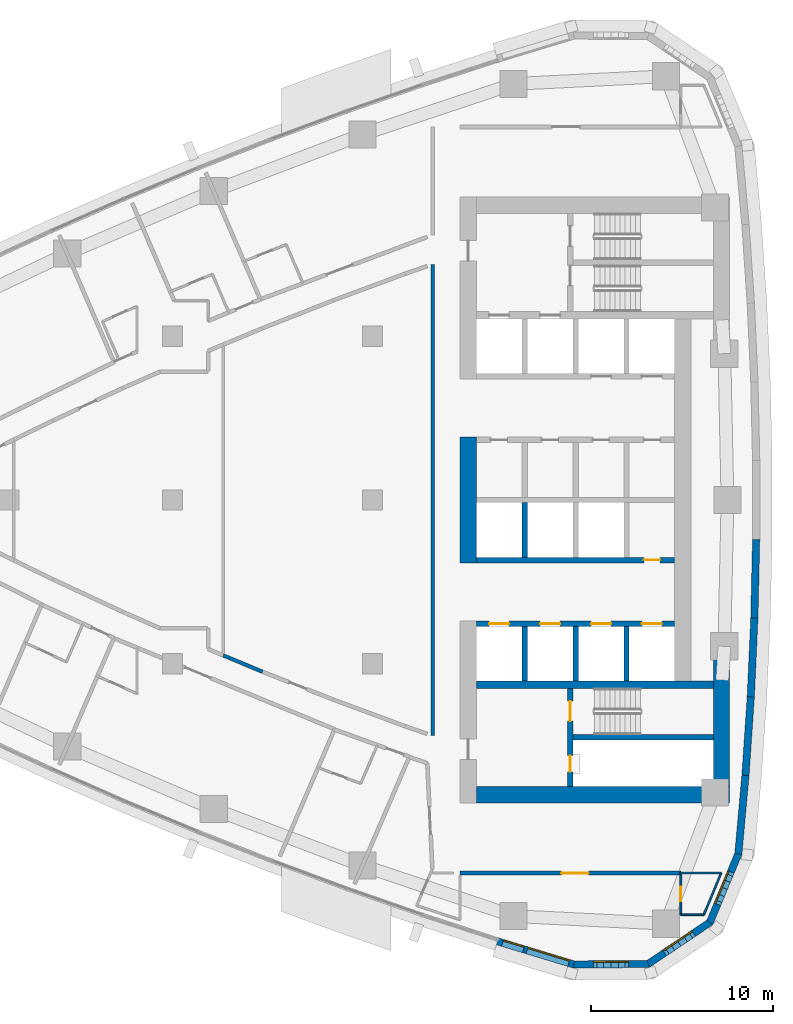
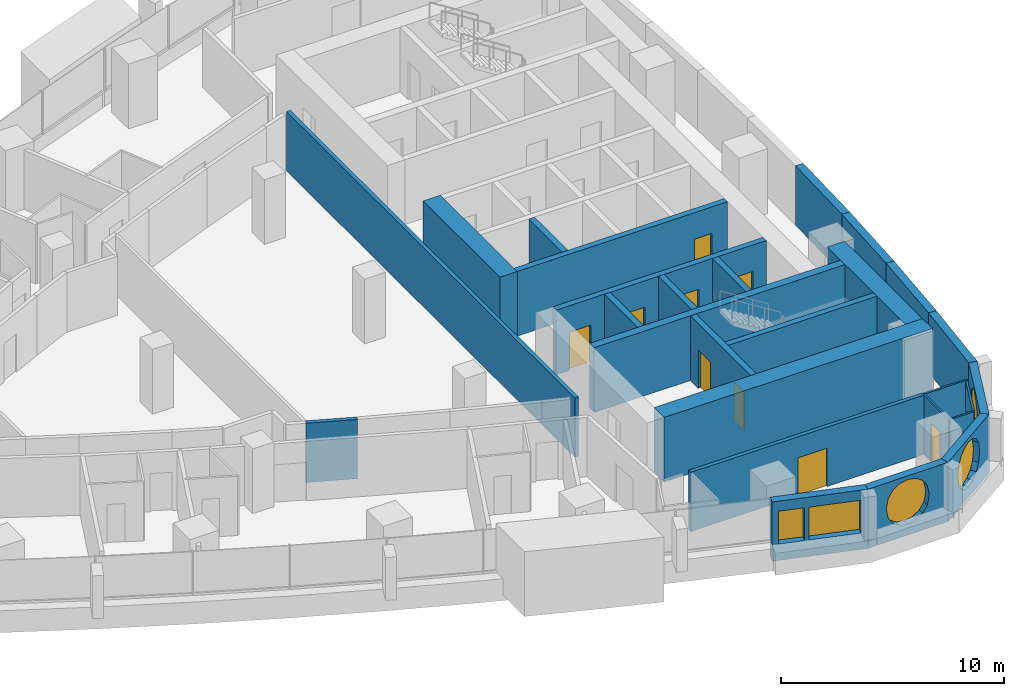
# One storey, part 10 of 17: 27 walls, 9 doors, 5 windows, 14 openings.
"""IFC4 building model written with IfcOpenShell, lengths in metres."""

from ifc_helpers import new_model, si_unit, direction, frame, frame_2d, origin, place, context, subcontext, project, spatial, polyline, rectangle, outline, extrude, material, layer, layer_set, type_object, element, fill, save


model = new_model("IFC4")

# Units and contexts
model_context = context("Model", 3, precision=1e-05, world=origin(), true_north=direction((0.0, 1.0)))
body_context = subcontext(model_context, "Body", "Model", "MODEL_VIEW")
ifc_project = project(units=[si_unit("LENGTHUNIT", "METRE"), si_unit("AREAUNIT", "SQUARE_METRE"), si_unit("VOLUMEUNIT", "CUBIC_METRE"), si_unit("PLANEANGLEUNIT", "RADIAN"), si_unit("MASSUNIT", "GRAM", prefix="KILO")], contexts=[model_context])

# Site, building, storey
site_placement = place(None, origin())
site = spatial("IfcSite", under=ifc_project, at=site_placement, CompositionType="ELEMENT")
building_placement = place(site_placement, origin())
building = spatial("IfcBuilding", under=site, at=building_placement, Name="Ostrand Prow Hotel Tower", CompositionType="ELEMENT")
storey_placement = place(building_placement, frame((0.0, 0.0, 130.199951171875)))
storey = spatial("IfcBuildingStorey", under=building, at=storey_placement, Name="L31", CompositionType="ELEMENT", Elevation=130.199951171875)

# Wall, opening, door
ifc_material_1 = material(Name="Concrete C70/85", Category="concrete")
ifc_layer_1 = layer(ifc_material_1, 0.300048828125)
ifc_layer_set_1 = layer_set([ifc_layer_1], Name="Concrete C70/85")
wall_type_1 = type_object("IfcWallType", Name="Core wall 300 C70/85", PredefinedType="SHEAR", material=ifc_layer_set_1)
wall_1_placement = place(storey_placement, frame((50.699951171875, -3.300048828125, 0.0), z_axis=(0.0, 0.0, 1.0), x_axis=(1.0, 0.0, 0.0)))
wall_1 = element("IfcWall", 1, at=wall_1_placement, inside=storey, type_object=wall_type_1, Name="Core wall PW-L1-S", PredefinedType="SHEAR", context=body_context, shape_type="SweptSolid", body=[
    extrude(rectangle(XDim=10.900146484375, YDim=0.300048828125, at=frame_2d((5.4501953125, 0.0))), origin(), (0.0, 0.0, 1.0), 3.550048828125),
])
opening_1_placement = place(wall_1_placement, frame((9.199951171875, 0.0, 0.0)))
opening_1 = element("IfcOpeningElement", 2, at=opening_1_placement, cuts=wall_1, Name="Opening FD2", PredefinedType="OPENING", context=body_context, shape_type="SweptSolid", body=[
    extrude(rectangle(XDim=0.89990234375, YDim=2.10009765625, at=frame_2d((0.449951171875, 1.050048828125))), frame((0.0, 0.159912109375, 0.0), z_axis=(0.0, -1.0, 0.0), x_axis=(1.0, 0.0, 0.0)), (0.0, 0.0, 1.0), 0.320068359375),
])
ifc_material_2 = material(Name="Steel fire door", Category="steel")
door_type_1 = type_object("IfcDoorType", Name="Fire door 900 EI120", OperationType="SINGLE_SWING_LEFT", PredefinedType="DOOR", material=ifc_material_2)
door_1_placement = place(opening_1_placement, origin())
door_1 = element("IfcDoor", 3, at=door_1_placement, inside=storey, type_object=door_type_1, Name="DOOR", OperationType="SINGLE_SWING_LEFT", OverallHeight=2.10009765625, OverallWidth=0.89990234375, PredefinedType="DOOR", context=body_context, shape_type="SweptSolid", body=[
    extrude(rectangle(XDim=0.89990234375, YDim=2.10009765625, at=frame_2d((0.449951171875, 1.050048828125))), frame((0.0, 0.02490234375, 0.0), z_axis=(0.0, -1.0, 0.0), x_axis=(1.0, 0.0, 0.0)), (0.0, 0.0, 1.0), 0.050048828125),
])
fill(opening_1, door_1)

# Wall, openings, doors
wall_2_placement = place(storey_placement, frame((50.699951171875, -6.800048828125, 0.0), z_axis=(0.0, 0.0, 1.0), x_axis=(1.0, 0.0, 0.0)))
wall_2 = element("IfcWall", 4, at=wall_2_placement, inside=storey, type_object=wall_type_1, Name="Core wall PW-L2-S", PredefinedType="SHEAR", context=body_context, shape_type="SweptSolid", body=[
    extrude(rectangle(XDim=10.900146484375, YDim=0.300048828125, at=frame_2d((5.4501953125, 0.0))), origin(), (0.0, 0.0, 1.0), 3.550048828125),
])
opening_2_placement = place(wall_2_placement, frame((0.699951171875, 0.0, 0.0)))
opening_2 = element("IfcOpeningElement", 5, at=opening_2_placement, cuts=wall_2, Name="Opening LD", PredefinedType="OPENING", context=body_context, shape_type="SweptSolid", body=[
    extrude(rectangle(XDim=1.10009765625, YDim=2.10009765625, at=frame_2d((0.550048828125, 1.050048828125))), frame((0.0, 0.159912109375, 0.0), z_axis=(0.0, -1.0, 0.0), x_axis=(1.0, 0.0, 0.0)), (0.0, 0.0, 1.0), 0.320068359375),
])
opening_3_placement = place(wall_2_placement, frame((3.5, 0.0, 0.0)))
opening_3 = element("IfcOpeningElement", 6, at=opening_3_placement, cuts=wall_2, Name="Opening LD", PredefinedType="OPENING", context=body_context, shape_type="SweptSolid", body=[
    extrude(rectangle(XDim=1.10009765625, YDim=2.10009765625, at=frame_2d((0.550048828125, 1.050048828125))), frame((0.0, 0.159912109375, 0.0), z_axis=(0.0, -1.0, 0.0), x_axis=(1.0, 0.0, 0.0)), (0.0, 0.0, 1.0), 0.320068359375),
])
opening_4_placement = place(wall_2_placement, frame((6.300048828125, 0.0, 0.0)))
opening_4 = element("IfcOpeningElement", 7, at=opening_4_placement, cuts=wall_2, Name="Opening LD", PredefinedType="OPENING", context=body_context, shape_type="SweptSolid", body=[
    extrude(rectangle(XDim=1.10009765625, YDim=2.10009765625, at=frame_2d((0.550048828125, 1.050048828125))), frame((0.0, 0.159912109375, 0.0), z_axis=(0.0, -1.0, 0.0), x_axis=(1.0, 0.0, 0.0)), (0.0, 0.0, 1.0), 0.320068359375),
])
opening_5_placement = place(wall_2_placement, frame((9.10009765625, 0.0, 0.0)))
opening_5 = element("IfcOpeningElement", 8, at=opening_5_placement, cuts=wall_2, Name="Opening LD", PredefinedType="OPENING", context=body_context, shape_type="SweptSolid", body=[
    extrude(rectangle(XDim=1.10009765625, YDim=2.10009765625, at=frame_2d((0.550048828125, 1.050048828125))), frame((0.0, 0.159912109375, 0.0), z_axis=(0.0, -1.0, 0.0), x_axis=(1.0, 0.0, 0.0)), (0.0, 0.0, 1.0), 0.320068359375),
])
ifc_material_3 = material(Name="Stainless steel door", Category="steel")
door_type_2 = type_object("IfcDoorType", Name="Lift landing door 1100", OperationType="DOUBLE_DOOR_SLIDING", PredefinedType="DOOR", material=ifc_material_3)
door_2_placement = place(opening_2_placement, origin())
door_2 = element("IfcDoor", 9, at=door_2_placement, inside=storey, type_object=door_type_2, Name="LIFT LANDING DOOR", OperationType="DOUBLE_DOOR_SLIDING", OverallHeight=2.10009765625, OverallWidth=1.10009765625, PredefinedType="DOOR", context=body_context, shape_type="SweptSolid", body=[
    extrude(rectangle(XDim=1.10009765625, YDim=2.10009765625, at=frame_2d((0.550048828125, 1.050048828125))), frame((0.0, 0.02490234375, 0.0), z_axis=(0.0, -1.0, 0.0), x_axis=(1.0, 0.0, 0.0)), (0.0, 0.0, 1.0), 0.050048828125),
])
fill(opening_2, door_2)
door_3_placement = place(opening_3_placement, origin())
door_3 = element("IfcDoor", 10, at=door_3_placement, inside=storey, type_object=door_type_2, Name="LIFT LANDING DOOR", OperationType="DOUBLE_DOOR_SLIDING", OverallHeight=2.10009765625, OverallWidth=1.10009765625, PredefinedType="DOOR", context=body_context, shape_type="SweptSolid", body=[
    extrude(rectangle(XDim=1.10009765625, YDim=2.10009765625, at=frame_2d((0.550048828125, 1.050048828125))), frame((0.0, 0.02490234375, 0.0), z_axis=(0.0, -1.0, 0.0), x_axis=(1.0, 0.0, 0.0)), (0.0, 0.0, 1.0), 0.050048828125),
])
fill(opening_3, door_3)
door_4_placement = place(opening_4_placement, origin())
door_4 = element("IfcDoor", 11, at=door_4_placement, inside=storey, type_object=door_type_2, Name="LIFT LANDING DOOR", OperationType="DOUBLE_DOOR_SLIDING", OverallHeight=2.10009765625, OverallWidth=1.10009765625, PredefinedType="DOOR", context=body_context, shape_type="SweptSolid", body=[
    extrude(rectangle(XDim=1.10009765625, YDim=2.10009765625, at=frame_2d((0.550048828125, 1.050048828125))), frame((0.0, 0.02490234375, 0.0), z_axis=(0.0, -1.0, 0.0), x_axis=(1.0, 0.0, 0.0)), (0.0, 0.0, 1.0), 0.050048828125),
])
fill(opening_4, door_4)
door_5_placement = place(opening_5_placement, origin())
door_5 = element("IfcDoor", 12, at=door_5_placement, inside=storey, type_object=door_type_2, Name="LIFT LANDING DOOR", OperationType="DOUBLE_DOOR_SLIDING", OverallHeight=2.10009765625, OverallWidth=1.10009765625, PredefinedType="DOOR", context=body_context, shape_type="SweptSolid", body=[
    extrude(rectangle(XDim=1.10009765625, YDim=2.10009765625, at=frame_2d((0.550048828125, 1.050048828125))), frame((0.0, 0.02490234375, 0.0), z_axis=(0.0, -1.0, 0.0), x_axis=(1.0, 0.0, 0.0)), (0.0, 0.0, 1.0), 0.050048828125),
])
fill(opening_5, door_5)

# Walls
for number, where, z_axis, x_axis, name in (
    (13, (53.35009765625, -3.14990234375, 0.0), (0.0, 0.0, 1.0), (0.0, 1.0, 0.0), "Core wall PW-R1-SB"),
    (14, (53.35009765625, -9.949951171875, 0.0), (0.0, 0.0, 1.0), (0.0, 1.0, 0.0), "Core wall PW-R1-SA"),
    (15, (56.14990234375, -9.949951171875, 0.0), (0.0, 0.0, 1.0), (0.0, 1.0, 0.0), "Core wall PW-R2-SA"),
    (16, (58.949951171875, -9.949951171875, 0.0), (0.0, 0.0, 1.0), (0.0, 1.0, 0.0), "Core wall PW-R3-SA"),
):
    element("IfcWall", number, at=place(storey_placement, frame(where, z_axis=z_axis, x_axis=x_axis)), inside=storey, type_object=wall_type_1, Name=name, PredefinedType="SHEAR", context=body_context, shape_type="SweptSolid", body=[
        extrude(rectangle(XDim=3.0, YDim=0.300048828125, at=frame_2d((1.5, 0.0))), origin(), (0.0, 0.0, 1.0), 3.550048828125),
    ])

# Wall, openings, doors
wall_3_placement = place(storey_placement, frame((55.85009765625, -15.75, 0.0), z_axis=(0.0, 0.0, 1.0), x_axis=(0.0, 1.0, 0.0)))
wall_3 = element("IfcWall", 17, at=wall_3_placement, inside=storey, type_object=wall_type_1, Name="Core wall PW-VS", PredefinedType="SHEAR", context=body_context, shape_type="SweptSolid", body=[
    extrude(rectangle(XDim=5.39990234375, YDim=0.300048828125, at=frame_2d((2.699951171875, 0.0))), origin(), (0.0, 0.0, 1.0), 3.550048828125),
])
opening_6_placement = place(wall_3_placement, frame((3.60009765625, 0.0, 0.0)))
opening_6 = element("IfcOpeningElement", 18, at=opening_6_placement, cuts=wall_3, Name="Opening FD1", PredefinedType="OPENING", context=body_context, shape_type="SweptSolid", body=[
    extrude(rectangle(XDim=1.10009765625, YDim=2.10009765625, at=frame_2d((0.550048828125, 1.050048828125))), frame((0.0, 0.159912109375, 0.0), z_axis=(0.0, -1.0, 0.0), x_axis=(1.0, 0.0, 0.0)), (0.0, 0.0, 1.0), 0.320068359375),
])
opening_7_placement = place(wall_3_placement, frame((0.800048828125, 0.0, 0.0)))
opening_7 = element("IfcOpeningElement", 19, at=opening_7_placement, cuts=wall_3, Name="Opening FD2", PredefinedType="OPENING", context=body_context, shape_type="SweptSolid", body=[
    extrude(rectangle(XDim=0.89990234375, YDim=2.10009765625, at=frame_2d((0.449951171875, 1.050048828125))), frame((0.0, 0.159912109375, 0.0), z_axis=(0.0, -1.0, 0.0), x_axis=(1.0, 0.0, 0.0)), (0.0, 0.0, 1.0), 0.320068359375),
])
ifc_material_4 = material(Name="Steel fire door", Category="steel")
door_type_3 = type_object("IfcDoorType", Name="Fire door 1100 EI120", OperationType="SINGLE_SWING_RIGHT", PredefinedType="DOOR", material=ifc_material_4)
door_6_placement = place(opening_6_placement, origin())
door_6 = element("IfcDoor", 20, at=door_6_placement, inside=storey, type_object=door_type_3, Name="FIRE DOOR", OperationType="SINGLE_SWING_RIGHT", OverallHeight=2.10009765625, OverallWidth=1.10009765625, PredefinedType="DOOR", context=body_context, shape_type="SweptSolid", body=[
    extrude(rectangle(XDim=1.10009765625, YDim=2.10009765625, at=frame_2d((0.550048828125, 1.050048828125))), frame((0.0, 0.02490234375, 0.0), z_axis=(0.0, -1.0, 0.0), x_axis=(1.0, 0.0, 0.0)), (0.0, 0.0, 1.0), 0.050048828125),
])
fill(opening_6, door_6)
door_7_placement = place(opening_7_placement, origin())
door_7 = element("IfcDoor", 21, at=door_7_placement, inside=storey, type_object=door_type_1, Name="FIRE DOOR", OperationType="SINGLE_SWING_LEFT", OverallHeight=2.10009765625, OverallWidth=0.89990234375, PredefinedType="DOOR", context=body_context, shape_type="SweptSolid", body=[
    extrude(rectangle(XDim=0.89990234375, YDim=2.10009765625, at=frame_2d((0.449951171875, 1.050048828125))), frame((0.0, 0.02490234375, 0.0), z_axis=(0.0, -1.0, 0.0), x_axis=(1.0, 0.0, 0.0)), (0.0, 0.0, 1.0), 0.050048828125),
])
fill(opening_7, door_7)

# Walls
wall_4_placement = place(storey_placement, frame((56.0, -13.050048828125, 0.0), z_axis=(0.0, 0.0, 1.0), x_axis=(1.0, 0.0, 0.0)))
element("IfcWall", 22, at=wall_4_placement, inside=storey, type_object=wall_type_1, Name="Core wall PW-ST2R", PredefinedType="SHEAR", context=body_context, shape_type="SweptSolid", body=[
    extrude(rectangle(XDim=7.719970703125, YDim=0.300048828125, at=frame_2d((3.85986328125, 0.0))), origin(), (0.0, 0.0, 1.0), 3.550048828125),
])
ifc_material_5 = material(Name="Concrete C70/85", Category="concrete")
ifc_layer_2 = layer(ifc_material_5, 0.39990234375)
ifc_layer_set_2 = layer_set([ifc_layer_2], Name="Concrete C70/85")
wall_type_2 = type_object("IfcWallType", Name="Core wall 400 C70/85", PredefinedType="SHEAR", material=ifc_layer_set_2)
wall_5_placement = place(storey_placement, frame((50.699951171875, -10.14990234375, 0.0), z_axis=(0.0, 0.0, 1.0), x_axis=(1.0, 0.0, 0.0)))
element("IfcWall", 23, at=wall_5_placement, inside=storey, type_object=wall_type_2, Name="Core wall PW-BS", PredefinedType="SHEAR", context=body_context, shape_type="SweptSolid", body=[
    extrude(rectangle(XDim=13.02001953125, YDim=0.39990234375, at=frame_2d((6.510009765625, 0.0))), origin(), (0.0, 0.0, 1.0), 3.550048828125),
])
ifc_material_6 = material(Name="Concrete C70/85", Category="concrete")
ifc_layer_3 = layer(ifc_material_6, 0.89990234375)
ifc_layer_set_3 = layer_set([ifc_layer_3], Name="Concrete C70/85")
wall_type_3 = type_object("IfcWallType", Name="Core wall 900 C70/85", PredefinedType="SHEAR", material=ifc_layer_set_3)
wall_6_placement = place(storey_placement, frame((50.25, -3.449951171875, 0.0), z_axis=(0.0, 0.0, 1.0), x_axis=(0.0, 1.0, 0.0)))
element("IfcWall", 24, at=wall_6_placement, inside=storey, type_object=wall_type_3, Name="Core wall CW-W-C", PredefinedType="SHEAR", context=body_context, shape_type="SweptSolid", body=[
    extrude(rectangle(XDim=6.89990234375, YDim=0.89990234375, at=frame_2d((3.449951171875, 0.0))), origin(), (0.0, 0.0, 1.0), 3.550048828125),
])
wall_7_placement = place(storey_placement, frame((50.699951171875, -16.199951171875, 0.0), z_axis=(0.0, 0.0, 1.0), x_axis=(1.0, 0.0, 0.0)))
element("IfcWall", 25, at=wall_7_placement, inside=storey, type_object=wall_type_3, Name="Core wall CW-S", PredefinedType="SHEAR", context=body_context, shape_type="SweptSolid", body=[
    extrude(rectangle(XDim=13.920166015625, YDim=0.89990234375, at=frame_2d((6.9599609375, 0.0))), origin(), (0.0, 0.0, 1.0), 3.550048828125),
])
wall_8_placement = place(storey_placement, frame((64.169921875, -15.75, 0.0), z_axis=(0.0, 0.0, 1.0), x_axis=(0.0, 1.0, 0.0)))
element("IfcWall", 26, at=wall_8_placement, inside=storey, type_object=wall_type_3, Name="Core wall CW-E-S", PredefinedType="SHEAR", context=body_context, shape_type="SweptSolid", body=[
    extrude(rectangle(XDim=7.00537109375, YDim=0.89990234375, at=frame_2d((3.502685546875, 0.0))), origin(), (0.0, 0.0, 1.0), 3.550048828125),
])

# Wall, opening, door
ifc_material_7 = material(Name="Plasterboard partition")
ifc_layer_4 = layer(ifc_material_7, 0.10009765625)
ifc_layer_set_4 = layer_set([ifc_layer_4], Name="Plasterboard partition")
wall_type_4 = type_object("IfcWallType", Name="Partition 100 bathroom wall", PredefinedType="PARTITIONING", material=ifc_layer_set_4)
wall_9_placement = place(storey_placement, frame((61.9375, -22.800048828125, 0.0), z_axis=(0.0, 0.0, 1.0), x_axis=(0.0, 1.0, 0.0)))
wall_9 = element("IfcWall", 27, at=wall_9_placement, inside=storey, type_object=wall_type_4, Name="BATHROOM WALL", PredefinedType="PARTITIONING", context=body_context, shape_type="SweptSolid", body=[
    extrude(rectangle(XDim=2.300048828125, YDim=0.10009765625, at=frame_2d((1.14990234375, 0.0))), origin(), (0.0, 0.0, 1.0), 3.25),
])
opening_8_placement = place(wall_9_placement, frame((0.75, 0.0, 0.0)))
opening_8 = element("IfcOpeningElement", 28, at=opening_8_placement, cuts=wall_9, Name="Opening D2", PredefinedType="OPENING", context=body_context, shape_type="SweptSolid", body=[
    extrude(rectangle(XDim=0.800048828125, YDim=2.10009765625, at=frame_2d((0.39990234375, 1.050048828125))), frame((0.0, 0.06005859375, 0.0), z_axis=(0.0, -1.0, 0.0), x_axis=(1.0, 0.0, 0.0)), (0.0, 0.0, 1.0), 0.1201171875),
])
ifc_material_8 = material(Name="Timber door leaf", Category="wood")
door_type_4 = type_object("IfcDoorType", Name="Bathroom door 800", OperationType="SINGLE_SWING_LEFT", PredefinedType="DOOR", material=ifc_material_8)
door_8_placement = place(opening_8_placement, origin())
door_8 = element("IfcDoor", 29, at=door_8_placement, inside=storey, type_object=door_type_4, Name="DOOR", OperationType="SINGLE_SWING_LEFT", OverallHeight=2.10009765625, OverallWidth=0.800048828125, PredefinedType="DOOR", context=body_context, shape_type="SweptSolid", body=[
    extrude(rectangle(XDim=0.800048828125, YDim=2.10009765625, at=frame_2d((0.39990234375, 1.050048828125))), frame((0.0, 0.02490234375, 0.0), z_axis=(0.0, -1.0, 0.0), x_axis=(1.0, 0.0, 0.0)), (0.0, 0.0, 1.0), 0.050048828125),
])
fill(opening_8, door_8)

# Walls
wall_10_placement = place(storey_placement, frame((63.1982421875, -22.800048828125, 0.0), z_axis=(0.0, 0.0, 1.0), x_axis=(-1.0, 0.0, 0.0)))
element("IfcWall", 30, at=wall_10_placement, inside=storey, type_object=wall_type_4, Name="BATHROOM WALL", PredefinedType="PARTITIONING", context=body_context, shape_type="SweptSolid", body=[
    extrude(rectangle(XDim=1.2607421875, YDim=0.10009765625, at=frame_2d((0.63037109375, 0.0))), origin(), (0.0, 0.0, 1.0), 3.25),
])
wall_11_placement = place(storey_placement, frame((61.9375, -20.5048828125, 0.0), z_axis=(0.0, 0.0, 1.0), x_axis=(1.0, 0.0, 0.0)))
element("IfcWall", 31, at=wall_11_placement, inside=storey, type_object=wall_type_4, Name="BATHROOM WALL", PredefinedType="PARTITIONING", context=body_context, shape_type="SweptSolid", body=[
    extrude(rectangle(XDim=2.21484375, YDim=0.10009765625, at=frame_2d((1.107421875, 0.0))), origin(), (0.0, 0.0, 1.0), 3.25),
])
wall_12_placement = place(storey_placement, frame((64.15234375, -20.5048828125, 0.0), z_axis=(0.0, 0.0, 1.0), x_axis=(-0.383855043906, -0.923393364319, 0.0)))
element("IfcWall", 32, at=wall_12_placement, inside=storey, type_object=wall_type_4, Name="BATHROOM WALL", PredefinedType="PARTITIONING", context=body_context, shape_type="SweptSolid", body=[
    extrude(rectangle(XDim=2.485595703125, YDim=0.10009765625, at=frame_2d((1.24267578125, 0.0))), origin(), (0.0, 0.0, 1.0), 3.25),
])
ifc_material_9 = material(Name="Plasterboard partition")
ifc_layer_5 = layer(ifc_material_9, 0.199951171875)
ifc_layer_set_5 = layer_set([ifc_layer_5], Name="Plasterboard partition")
wall_type_5 = type_object("IfcWallType", Name="Partition 200 corridor wall", PredefinedType="PARTITIONING", material=ifc_layer_set_5)
wall_13_placement = place(storey_placement, frame((38.943115234375, -9.44091796875, 0.0), z_axis=(0.0, 0.0, 1.0), x_axis=(-0.923008963065, 0.384778448073, 0.0)))
element("IfcWall", 33, at=wall_13_placement, inside=storey, type_object=wall_type_5, Name="CORRIDOR WALL", PredefinedType="PARTITIONING", context=body_context, shape_type="SweptSolid", body=[
    extrude(rectangle(XDim=2.3388671875, YDim=0.199951171875, at=frame_2d((1.16943359375, 0.0))), origin(), (0.0, 0.0, 1.0), 3.25),
])

# Wall, opening, door
wall_14_placement = place(storey_placement, frame((49.800048828125, -20.5048828125, 0.0), z_axis=(0.0, 0.0, 1.0), x_axis=(1.0, 0.0, 0.0)))
wall_14 = element("IfcWall", 34, at=wall_14_placement, inside=storey, type_object=wall_type_5, Name="CORRIDOR WALL", PredefinedType="PARTITIONING", context=body_context, shape_type="SweptSolid", body=[
    extrude(rectangle(XDim=12.132568359375, YDim=0.199951171875, at=frame_2d((6.06640625, 0.0))), origin(), (0.0, 0.0, 1.0), 3.25),
])
opening_9_placement = place(wall_14_placement, frame((5.56640625, 0.0, 0.0)))
opening_9 = element("IfcOpeningElement", 35, at=opening_9_placement, cuts=wall_14, Name="Opening D15", PredefinedType="OPENING", context=body_context, shape_type="SweptSolid", body=[
    extrude(rectangle(XDim=1.5, YDim=2.10009765625, at=frame_2d((0.75, 1.050048828125))), frame((0.0, 0.10986328125, 0.0), z_axis=(0.0, -1.0, 0.0), x_axis=(1.0, 0.0, 0.0)), (0.0, 0.0, 1.0), 0.219970703125),
])
ifc_material_10 = material(Name="Timber door leaf", Category="wood")
door_type_5 = type_object("IfcDoorType", Name="Double door 1500", OperationType="DOUBLE_DOOR_SINGLE_SWING", PredefinedType="DOOR", material=ifc_material_10)
door_9_placement = place(opening_9_placement, origin())
door_9 = element("IfcDoor", 36, at=door_9_placement, inside=storey, type_object=door_type_5, Name="DOOR", OperationType="DOUBLE_DOOR_SINGLE_SWING", OverallHeight=2.10009765625, OverallWidth=1.5, PredefinedType="DOOR", context=body_context, shape_type="SweptSolid", body=[
    extrude(rectangle(XDim=1.5, YDim=2.10009765625, at=frame_2d((0.75, 1.050048828125))), frame((0.0, 0.02490234375, 0.0), z_axis=(0.0, -1.0, 0.0), x_axis=(1.0, 0.0, 0.0)), (0.0, 0.0, 1.0), 0.050048828125),
])
fill(opening_9, door_9)

# Wall
wall_15_placement = place(storey_placement, frame((48.294921875, 12.955078125, 0.0), z_axis=(0.0, 0.0, 1.0), x_axis=(0.0, -1.0, 0.0)))
element("IfcWall", 37, at=wall_15_placement, inside=storey, type_object=wall_type_5, Name="CORRIDOR WALL", PredefinedType="PARTITIONING", context=body_context, shape_type="SweptSolid", body=[
    extrude(rectangle(XDim=25.91015625, YDim=0.199951171875, at=frame_2d((12.955078125, 0.0))), origin(), (0.0, 0.0, 1.0), 3.25),
])

# Wall, openings, windows
ifc_material_11 = material(Name="Precast concrete C40/50", Category="concrete")
ifc_layer_6 = layer(ifc_material_11, 0.39990234375)
ifc_layer_set_6 = layer_set([ifc_layer_6], Name="Precast concrete C40/50")
wall_type_6 = type_object("IfcWallType", Name="Stone-faced precast wall 400 mm", PredefinedType="NOTDEFINED", material=ifc_layer_set_6)
wall_16_placement = place(storey_placement, frame((51.85888671875, -24.257080078125, 0.0), z_axis=(0.0, 0.0, 1.0), x_axis=(0.956964488344, -0.290205044837, 0.0)))
wall_16 = element("IfcWall", 38, at=wall_16_placement, inside=storey, type_object=wall_type_6, Name="Stone-faced wall back 1", PredefinedType="NOTDEFINED", context=body_context, shape_type="SweptSolid", body=[
    extrude(outline(polyline([(0.0, -0.199951171875), (4.41845703125, -0.199951171875), (4.357421875, 0.199951171875), (0.0, 0.199951171875), (0.0, -0.199951171875)])), origin(), (0.0, 0.0, 1.0), 3.25),
])
opening_10_placement = place(wall_16_placement, frame((0.2939453125, 0.0, 0.89990234375)))
opening_10 = element("IfcOpeningElement", 39, at=opening_10_placement, cuts=wall_16, Name="Opening WS4", PredefinedType="OPENING", context=body_context, shape_type="SweptSolid", body=[
    extrude(rectangle(XDim=1.199951171875, YDim=1.800048828125, at=frame_2d((0.60009765625, 0.89990234375))), frame((0.0, 0.2099609375, 0.0), z_axis=(0.0, -1.0, 0.0), x_axis=(1.0, 0.0, 0.0)), (0.0, 0.0, 1.0), 0.419921875),
])
opening_11_placement = place(wall_16_placement, frame((1.694091796875, 0.0, 0.89990234375)))
opening_11 = element("IfcOpeningElement", 40, at=opening_11_placement, cuts=wall_16, Name="Opening WS5-24", PredefinedType="OPENING", context=body_context, shape_type="SweptSolid", body=[
    extrude(rectangle(XDim=2.39990234375, YDim=1.800048828125, at=frame_2d((1.199951171875, 0.89990234375))), frame((0.0, 0.2099609375, 0.0), z_axis=(0.0, -1.0, 0.0), x_axis=(1.0, 0.0, 0.0)), (0.0, 0.0, 1.0), 0.419921875),
])
ifc_material_12 = material(Name="Insulated glass in bronze frame", Category="glass")
window_type_1 = type_object("IfcWindowType", Name="Fixed strip window 2400x1800", PartitioningType="SINGLE_PANEL", PredefinedType="WINDOW", material=ifc_material_12)
window_1_placement = place(opening_11_placement, origin())
window_1 = element("IfcWindow", 41, at=window_1_placement, inside=storey, type_object=window_type_1, Name="Window back 1.2", OverallHeight=1.800048828125, OverallWidth=2.39990234375, PartitioningType="SINGLE_PANEL", PredefinedType="WINDOW", context=body_context, shape_type="SweptSolid", body=[
    extrude(rectangle(XDim=2.39990234375, YDim=1.800048828125, at=frame_2d((1.199951171875, 0.89990234375))), frame((0.0, 0.169921875, 0.0), z_axis=(0.0, -1.0, 0.0), x_axis=(1.0, 0.0, 0.0)), (0.0, 0.0, 1.0), 0.06005859375),
])
fill(opening_11, window_1)
ifc_material_13 = material(Name="Insulated glass in bronze frame", Category="glass")
window_type_2 = type_object("IfcWindowType", Name="Operable strip panel 1200x1800", PartitioningType="SINGLE_PANEL", PredefinedType="WINDOW", material=ifc_material_13)
window_2_placement = place(opening_10_placement, origin())
window_2 = element("IfcWindow", 42, at=window_2_placement, inside=storey, type_object=window_type_2, Name="Window back 1.1", OverallHeight=1.800048828125, OverallWidth=1.199951171875, PartitioningType="SINGLE_PANEL", PredefinedType="WINDOW", context=body_context, shape_type="SweptSolid", body=[
    extrude(rectangle(XDim=1.199951171875, YDim=1.800048828125, at=frame_2d((0.60009765625, 0.89990234375))), frame((0.0, 0.169921875, 0.0), z_axis=(0.0, -1.0, 0.0), x_axis=(1.0, 0.0, 0.0)), (0.0, 0.0, 1.0), 0.06005859375),
])
fill(opening_10, window_2)

# Wall, opening, window
wall_17_placement = place(storey_placement, frame((56.05810546875, -25.530517578125, 0.0), z_axis=(0.0, 0.0, 1.0), x_axis=(0.99996933771, 0.007830941131, 0.0)))
wall_17 = element("IfcWall", 43, at=wall_17_placement, inside=storey, type_object=wall_type_6, Name="Stone-faced wall back 2", PredefinedType="NOTDEFINED", context=body_context, shape_type="SweptSolid", body=[
    extrude(outline(polyline([(-0.030517578125, -0.199951171875), (4.14453125, -0.199951171875), (4.02392578125, 0.199951171875), (0.030517578125, 0.199951171875), (-0.030517578125, -0.199951171875)])), origin(), (0.0, 0.0, 1.0), 3.25),
])
opening_12_placement = place(wall_17_placement, frame((0.94189453125, 0.0, 0.60009765625)))
opening_12 = element("IfcOpeningElement", 44, at=opening_12_placement, cuts=wall_17, Name="Opening WP1", PredefinedType="OPENING", context=body_context, shape_type="SweptSolid", body=[
    extrude(outline(polyline([(0.0, 1.35009765625), (0.083740234375, 1.77099609375), (0.322265625, 2.127685546875), (0.678955078125, 2.3662109375), (1.10009765625, 2.449951171875), (1.52099609375, 2.3662109375), (1.877685546875, 2.127685546875), (2.1162109375, 1.77099609375), (2.199951171875, 1.35009765625), (2.199951171875, 1.10009765625), (2.1162109375, 0.678955078125), (1.877685546875, 0.322265625), (1.52099609375, 0.083740234375), (1.10009765625, 0.0), (0.678955078125, 0.083740234375), (0.322265625, 0.322265625), (0.083740234375, 0.678955078125), (0.0, 1.099853515625), (0.0, 1.35009765625)])), frame((0.0, 0.2099609375, 0.0), z_axis=(0.0, -1.0, 0.0), x_axis=(1.0, 0.0, 0.0)), (0.0, 0.0, 1.0), 0.419921875),
])
ifc_material_14 = material(Name="Insulated glass in bronze frame", Category="glass")
window_type_3 = type_object("IfcWindowType", Name="Round-ended prow window 2200x2450", PartitioningType="SINGLE_PANEL", PredefinedType="WINDOW", material=ifc_material_14)
window_3_placement = place(opening_12_placement, origin())
window_3 = element("IfcWindow", 45, at=window_3_placement, inside=storey, type_object=window_type_3, Name="Window back 2.1", OverallHeight=2.449951171875, OverallWidth=2.199951171875, PartitioningType="SINGLE_PANEL", PredefinedType="WINDOW", context=body_context, shape_type="SweptSolid", body=[
    extrude(outline(polyline([(0.0, 1.35009765625), (0.083740234375, 1.77099609375), (0.322265625, 2.127685546875), (0.678955078125, 2.3662109375), (1.10009765625, 2.449951171875), (1.52099609375, 2.3662109375), (1.877685546875, 2.127685546875), (2.1162109375, 1.77099609375), (2.199951171875, 1.35009765625), (2.199951171875, 1.10009765625), (2.1162109375, 0.678955078125), (1.877685546875, 0.322265625), (1.52099609375, 0.083740234375), (1.10009765625, 0.0), (0.678955078125, 0.083740234375), (0.322265625, 0.322265625), (0.083740234375, 0.678955078125), (0.0, 1.099853515625), (0.0, 1.35009765625)])), frame((0.0, 0.169921875, 0.0), z_axis=(0.0, -1.0, 0.0), x_axis=(1.0, 0.0, 0.0)), (0.0, 0.0, 1.0), 0.06005859375),
])
fill(opening_12, window_3)

wall_18_placement = place(storey_placement, frame((60.14208984375, -25.49853515625, 0.0), z_axis=(0.0, 0.0, 1.0), x_axis=(0.829642062482, 0.558295663749, 0.0)))
wall_18 = element("IfcWall", 46, at=wall_18_placement, inside=storey, type_object=wall_type_6, Name="Stone-faced wall back 3", PredefinedType="NOTDEFINED", context=body_context, shape_type="SweptSolid", body=[
    extrude(outline(polyline([(-0.060302734375, -0.199951171875), (4.144287109375, -0.199951171875), (4.023681640625, 0.199951171875), (0.060302734375, 0.199951171875), (-0.060302734375, -0.199951171875)])), origin(), (0.0, 0.0, 1.0), 3.25),
])
opening_13_placement = place(wall_18_placement, frame((0.94189453125, 0.0, 0.60009765625)))
opening_13 = element("IfcOpeningElement", 47, at=opening_13_placement, cuts=wall_18, Name="Opening WP1", PredefinedType="OPENING", context=body_context, shape_type="SweptSolid", body=[
    extrude(outline(polyline([(0.0, 1.35009765625), (0.083740234375, 1.77099609375), (0.322265625, 2.127685546875), (0.678955078125, 2.3662109375), (1.10009765625, 2.449951171875), (1.52099609375, 2.3662109375), (1.877685546875, 2.127685546875), (2.1162109375, 1.77099609375), (2.199951171875, 1.35009765625), (2.199951171875, 1.10009765625), (2.1162109375, 0.678955078125), (1.877685546875, 0.322265625), (1.52099609375, 0.083740234375), (1.10009765625, 0.0), (0.678955078125, 0.083740234375), (0.322265625, 0.322265625), (0.083740234375, 0.678955078125), (0.0, 1.099853515625), (0.0, 1.35009765625)])), frame((0.0, 0.2099609375, 0.0), z_axis=(0.0, -1.0, 0.0), x_axis=(1.0, 0.0, 0.0)), (0.0, 0.0, 1.0), 0.419921875),
])
window_4_placement = place(opening_13_placement, origin())
window_4 = element("IfcWindow", 48, at=window_4_placement, inside=storey, type_object=window_type_3, Name="Window back 3.1", OverallHeight=2.449951171875, OverallWidth=2.199951171875, PartitioningType="SINGLE_PANEL", PredefinedType="WINDOW", context=body_context, shape_type="SweptSolid", body=[
    extrude(outline(polyline([(0.0, 1.35009765625), (0.083740234375, 1.77099609375), (0.322265625, 2.127685546875), (0.678955078125, 2.3662109375), (1.10009765625, 2.449951171875), (1.52099609375, 2.3662109375), (1.877685546875, 2.127685546875), (2.1162109375, 1.77099609375), (2.199951171875, 1.35009765625), (2.199951171875, 1.10009765625), (2.1162109375, 0.678955078125), (1.877685546875, 0.322265625), (1.52099609375, 0.083740234375), (1.10009765625, 0.0), (0.678955078125, 0.083740234375), (0.322265625, 0.322265625), (0.083740234375, 0.678955078125), (0.0, 1.099853515625), (0.0, 1.35009765625)])), frame((0.0, 0.169921875, 0.0), z_axis=(0.0, -1.0, 0.0), x_axis=(1.0, 0.0, 0.0)), (0.0, 0.0, 1.0), 0.06005859375),
])
fill(opening_13, window_4)

wall_19_placement = place(storey_placement, frame((63.5302734375, -23.218505859375, 0.0), z_axis=(0.0, 0.0, 1.0), x_axis=(0.383817293519, 0.923409056267, 0.0)))
wall_19 = element("IfcWall", 49, at=wall_19_placement, inside=storey, type_object=wall_type_6, Name="Stone-faced wall back 4", PredefinedType="NOTDEFINED", context=body_context, shape_type="SweptSolid", body=[
    extrude(outline(polyline([(-0.060302734375, -0.199951171875), (4.11474609375, -0.199951171875), (4.0537109375, 0.199951171875), (0.060302734375, 0.199951171875), (-0.060302734375, -0.199951171875)])), origin(), (0.0, 0.0, 1.0), 3.25),
])
opening_14_placement = place(wall_19_placement, frame((0.94189453125, 0.0, 0.60009765625)))
opening_14 = element("IfcOpeningElement", 50, at=opening_14_placement, cuts=wall_19, Name="Opening WP1", PredefinedType="OPENING", context=body_context, shape_type="SweptSolid", body=[
    extrude(outline(polyline([(0.0, 1.35009765625), (0.083740234375, 1.77099609375), (0.322265625, 2.127685546875), (0.678955078125, 2.3662109375), (1.10009765625, 2.449951171875), (1.52099609375, 2.3662109375), (1.877685546875, 2.127685546875), (2.1162109375, 1.77099609375), (2.199951171875, 1.35009765625), (2.199951171875, 1.10009765625), (2.1162109375, 0.678955078125), (1.877685546875, 0.322265625), (1.52099609375, 0.083740234375), (1.10009765625, 0.0), (0.678955078125, 0.083740234375), (0.322265625, 0.322265625), (0.083740234375, 0.678955078125), (0.0, 1.099853515625), (0.0, 1.35009765625)])), frame((0.0, 0.2099609375, 0.0), z_axis=(0.0, -1.0, 0.0), x_axis=(1.0, 0.0, 0.0)), (0.0, 0.0, 1.0), 0.419921875),
])
window_5_placement = place(opening_14_placement, origin())
window_5 = element("IfcWindow", 51, at=window_5_placement, inside=storey, type_object=window_type_3, Name="Window back 4.1", OverallHeight=2.449951171875, OverallWidth=2.199951171875, PartitioningType="SINGLE_PANEL", PredefinedType="WINDOW", context=body_context, shape_type="SweptSolid", body=[
    extrude(outline(polyline([(0.0, 1.35009765625), (0.083740234375, 1.77099609375), (0.322265625, 2.127685546875), (0.678955078125, 2.3662109375), (1.10009765625, 2.449951171875), (1.52099609375, 2.3662109375), (1.877685546875, 2.127685546875), (2.1162109375, 1.77099609375), (2.199951171875, 1.35009765625), (2.199951171875, 1.10009765625), (2.1162109375, 0.678955078125), (1.877685546875, 0.322265625), (1.52099609375, 0.083740234375), (1.10009765625, 0.0), (0.678955078125, 0.083740234375), (0.322265625, 0.322265625), (0.083740234375, 0.678955078125), (0.0, 1.099853515625), (0.0, 1.35009765625)])), frame((0.0, 0.169921875, 0.0), z_axis=(0.0, -1.0, 0.0), x_axis=(1.0, 0.0, 0.0)), (0.0, 0.0, 1.0), 0.06005859375),
])
fill(opening_14, window_5)

# Walls
wall_20_placement = place(storey_placement, frame((65.097900390625, -19.447021484375, 0.0), z_axis=(0.0, 0.0, 1.0), x_axis=(0.090296735989, 0.995914905737, 0.0)))
element("IfcWall", 52, at=wall_20_placement, inside=storey, type_object=wall_type_6, Name="Stone-faced wall back 5", PredefinedType="NOTDEFINED", context=body_context, shape_type="SweptSolid", body=[
    extrude(outline(polyline([(-0.030517578125, -0.199951171875), (4.330810546875, -0.199951171875), (4.326416015625, 0.199951171875), (0.030517578125, 0.199951171875), (-0.030517578125, -0.199951171875)])), origin(), (0.0, 0.0, 1.0), 3.25),
])
for number, where, z_axis, x_axis, name in (
    (53, (65.48876953125, -15.135986328125, 0.0), (0.0, 0.0, 1.0), (0.067731727279, 0.997703569764, 0.0), "Stone-faced wall back 6"),
    (54, (65.781982421875, -10.81689453125, 0.0), (0.0, 0.0, 1.0), (0.045228592312, 0.99897666361, 0.0), "Stone-faced wall back 7"),
):
    element("IfcWall", number, at=place(storey_placement, frame(where, z_axis=z_axis, x_axis=x_axis)), inside=storey, type_object=wall_type_6, Name=name, PredefinedType="NOTDEFINED", context=body_context, shape_type="SweptSolid", body=[
        extrude(outline(polyline([(-0.002197265625, -0.199951171875), (4.331298828125, -0.199951171875), (4.326904296875, 0.199951171875), (0.002197265625, 0.199951171875), (-0.002197265625, -0.199951171875)])), origin(), (0.0, 0.0, 1.0), 3.25),
    ])
wall_21_placement = place(storey_placement, frame((65.977783203125, -6.4921875, 0.0), z_axis=(0.0, 0.0, 1.0), x_axis=(0.02261635063, 0.99974421763, 0.0)))
element("IfcWall", 55, at=wall_21_placement, inside=storey, type_object=wall_type_6, Name="Stone-faced wall back 8", PredefinedType="NOTDEFINED", context=body_context, shape_type="SweptSolid", body=[
    extrude(outline(polyline([(-0.002197265625, -0.199951171875), (4.3310546875, -0.199951171875), (4.32666015625, 0.199951171875), (0.002197265625, 0.199951171875), (-0.002197265625, -0.199951171875)])), origin(), (0.0, 0.0, 1.0), 3.25),
])

save(model, "model.ifc")
